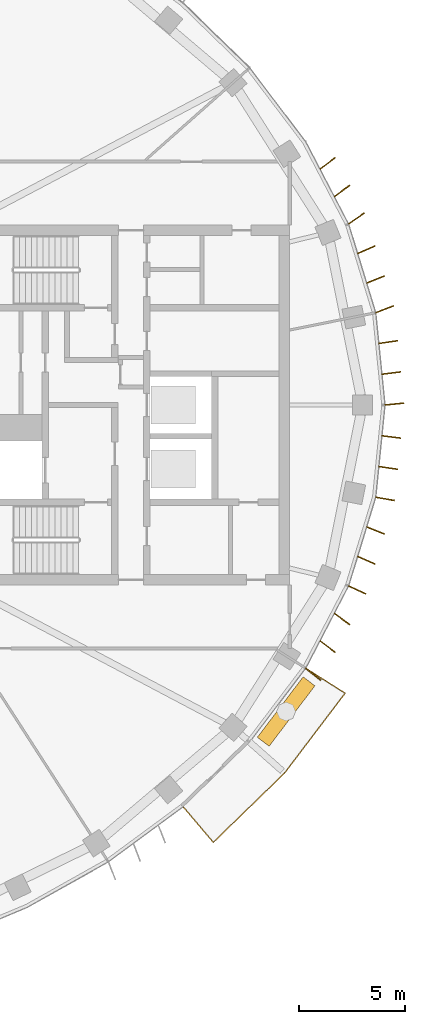
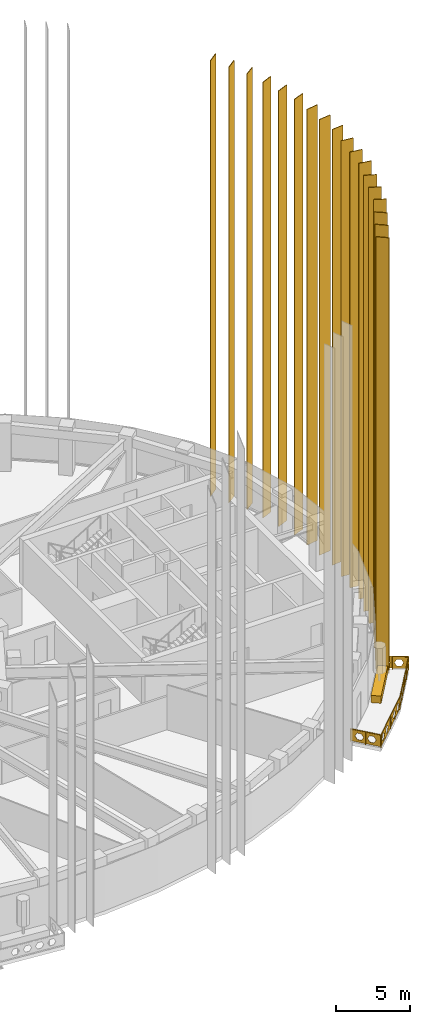
# One storey, part 16 of 17: 19 coverings, 1 railing.
"""IFC4 building model written with IfcOpenShell, lengths in metres."""

from ifc_helpers import new_model, si_unit, direction, frame, origin, origin_2d, place, context, subcontext, project, spatial, polyline, rectangle, outline, extrude, material, material_profile, profile_set, type_object, element, save


model = new_model("IFC4")

# Units and contexts
model_context = context("Model", 3, precision=1e-05, world=origin(), true_north=direction((0.0, 1.0)))
body_context = subcontext(model_context, "Body", "Model", "MODEL_VIEW")
ifc_project = project(units=[si_unit("LENGTHUNIT", "METRE"), si_unit("AREAUNIT", "SQUARE_METRE"), si_unit("VOLUMEUNIT", "CUBIC_METRE"), si_unit("PLANEANGLEUNIT", "RADIAN"), si_unit("MASSUNIT", "GRAM", prefix="KILO")], contexts=[model_context])

# Site, building, storey
site_placement = place(None, origin())
site = spatial("IfcSite", under=ifc_project, at=site_placement, CompositionType="ELEMENT")
building_placement = place(site_placement, origin())
building = spatial("IfcBuilding", under=site, at=building_placement, Name="Noorbagh Ring Tower", CompositionType="ELEMENT")
storey_placement = place(building_placement, frame((0.0, 0.0, 291.0)))
storey = spatial("IfcBuildingStorey", under=building, at=storey_placement, Name="L62", CompositionType="ELEMENT", Elevation=291.0)

# Coverings
ifc_material_1 = material(Name="Aluminium 6063-T6 black anodised", Category="aluminium")
ifc_material_profile = material_profile(ifc_material_1, rectangle(XDim=0.89990234375, YDim=0.050048828125, at=origin_2d()), Name="900x50")
ifc_profile_set = profile_set([ifc_material_profile], Name="Aluminium 6063-T6 black anodised")
covering_type_1 = type_object("IfcCoveringType", Name="ENV-FIN", PredefinedType="CLADDING", material=ifc_profile_set)
for number, where, z_axis, x_axis, name in (
    (1, (36.4482421875, 0.045166015625, -0.284912109375), (0.0, 0.0, 1.0), (0.994969504864, 0.100178263068, 0.0), "Fin F01 1 L62-L70"),
    (2, (36.30126953125, 1.5087890625, -0.284912109375), (0.0, 0.0, 1.0), (0.992302876732, 0.12383457041, 0.0), "Fin F01 2 L62-L70"),
    (3, (36.154296875, 2.97216796875, -0.284912109375), (0.0, 0.0, 1.0), (0.989102941421, 0.147225579543, 0.0), "Fin F01 3 L62-L70"),
    (4, (35.9833984375, 4.520751953125, -0.284912109375), (0.0, 0.0, 1.0), (0.933362145395, 0.358936074453, 0.0), "Fin F02 1 L62-L70"),
    (5, (35.553466796875, 5.92724609375, -0.284912109375), (0.0, 0.0, 1.0), (0.925000661941, 0.379965492392, 0.0), "Fin F02 2 L62-L70"),
    (6, (35.123291015625, 7.3330078125, -0.284912109375), (0.0, 0.0, 1.0), (0.916474909008, 0.40009216583, 0.0), "Fin F02 3 L62-L70"),
    (7, (34.651611328125, 8.810791015625, -0.284912109375), (0.0, 0.0, 1.0), (0.815855460993, 0.57825588347, 0.0), "Fin F03 1 L62-L70"),
    (8, (33.9716796875, 10.113525390625, -0.284912109375), (0.0, 0.0, 1.0), (0.804260303023, 0.59427717858, 0.0), "Fin F03 2 L62-L70"),
    (9, (33.291748046875, 11.415771484375, -0.284912109375), (0.0, 0.0, 1.0), (0.793137535147, 0.609042568579, 0.0), "Fin F03 3 L62-L70"),
    (10, (32.612060546875, -12.71728515625, -0.284912109375), (0.0, 0.0, 1.0), (0.782643528987, -0.622470165176, 0.0), "Fin F44 1 L62-L70"),
    (11, (33.291748046875, -11.415771484375, -0.284912109375), (0.0, 0.0, 1.0), (0.793137535147, -0.609042568579, 0.0), "Fin F44 2 L62-L70"),
    (12, (33.9716796875, -10.113525390625, -0.284912109375), (0.0, 0.0, 1.0), (0.804260303023, -0.59427717858, 0.0), "Fin F44 3 L62-L70"),
    (13, (34.693359375, -8.738525390625, -0.284912109375), (0.0, 0.0, 1.0), (0.907911558545, -0.419161784827, 0.0), "Fin F45 1 L62-L70"),
    (14, (35.123291015625, -7.3330078125, -0.284912109375), (0.0, 0.0, 1.0), (0.916474909008, -0.40009216583, 0.0), "Fin F45 2 L62-L70"),
    (15, (35.553466796875, -5.92724609375, -0.284912109375), (0.0, 0.0, 1.0), (0.925000661941, -0.379965492392, 0.0), "Fin F45 3 L62-L70"),
    (16, (36.0068359375, -4.435546875, -0.284912109375), (0.0, 0.0, 1.0), (0.985418628789, -0.170147365642, 0.0), "Fin F46 1 L62-L70"),
    (17, (36.154296875, -2.97216796875, -0.284912109375), (0.0, 0.0, 1.0), (0.989102941421, -0.147225579543, 0.0), "Fin F46 2 L62-L70"),
    (18, (36.30126953125, -1.5087890625, -0.284912109375), (0.0, 0.0, 1.0), (0.992302876732, -0.12383457041, 0.0), "Fin F46 3 L62-L70"),
):
    element("IfcCovering", number, at=place(storey_placement, frame(where, z_axis=z_axis, x_axis=x_axis)), inside=storey, type_object=covering_type_1, Name=name, ObjectType="FIN", PredefinedType="CLADDING", context=body_context, shape_type="SweptSolid", body=[
        extrude(rectangle(XDim=0.89990234375, YDim=0.050048828125, at=origin_2d()), origin(), (0.0, 0.0, 1.0), 35.969970703125),
    ])

# Railing
ifc_material_2 = material(Name="Steel S275 black powder-coated", Category="steel")
railing_type = type_object("IfcRailingType", Name="ENV-GUARD", PredefinedType="GUARDRAIL", material=ifc_material_2)
railing_placement = place(storey_placement, frame((26.463134765625, -18.983154296875, 0.0)))
element("IfcRailing", 19, at=railing_placement, inside=storey, type_object=railing_type, Name="Balcony guard BS06", PredefinedType="GUARDRAIL", context=body_context, shape_type="SweptSolid", body=[
    extrude(rectangle(XDim=0.048095703125, YDim=0.048095703125, at=origin_2d()), frame((0.0, 0.0, 1.076171875), z_axis=(0.646413574048, -0.762987215677, 0.0), x_axis=(0.762987215677, 0.646413574048, 0.0)), (0.0, 0.0, 1.0), 2.205322265625),
    extrude(rectangle(XDim=0.048095703125, YDim=0.048095703125, at=origin_2d()), frame((1.425537109375, -1.6826171875, 1.076171875), z_axis=(0.717212632946, 0.696854388766, 0.0), x_axis=(-0.696854388766, 0.717212632946, 0.0)), (0.0, 0.0, 1.0), 4.700927734375),
    extrude(rectangle(XDim=0.048095703125, YDim=0.048095703125, at=origin_2d()), frame((4.797119140625, 1.59326171875, 1.076171875), z_axis=(0.604001613322, 0.796983093362, 0.0), x_axis=(-0.796983093362, 0.604001613322, 0.0)), (0.0, 0.0, 1.0), 4.7353515625),
    extrude(rectangle(XDim=0.048095703125, YDim=0.048095703125, at=origin_2d()), frame((7.6572265625, 5.3671875, 1.076171875), z_axis=(-0.844852397829, 0.534999463442, 0.0), x_axis=(-0.534999463442, -0.844852397829, 0.0)), (0.0, 0.0, 1.0), 2.207763671875),
    extrude(rectangle(XDim=0.0419921875, YDim=0.0419921875, at=origin_2d()), origin(), (0.0, 0.0, 1.0), 1.052001953125),
    extrude(rectangle(XDim=0.0419921875, YDim=0.0419921875, at=origin_2d()), frame((0.712890625, -0.84130859375, 0.0)), (0.0, 0.0, 1.0), 1.052001953125),
    extrude(rectangle(XDim=0.0419921875, YDim=0.0419921875, at=origin_2d()), frame((1.425537109375, -1.6826171875, 0.0)), (0.0, 0.0, 1.0), 1.052001953125),
    extrude(rectangle(XDim=0.0419921875, YDim=0.0419921875, at=origin_2d()), frame((2.2685546875, -0.86376953125, 0.0)), (0.0, 0.0, 1.0), 1.052001953125),
    extrude(rectangle(XDim=0.0419921875, YDim=0.0419921875, at=origin_2d()), frame((3.111328125, -0.044677734375, 0.0)), (0.0, 0.0, 1.0), 1.052001953125),
    extrude(rectangle(XDim=0.0419921875, YDim=0.0419921875, at=origin_2d()), frame((3.9541015625, 0.7744140625, 0.0)), (0.0, 0.0, 1.0), 1.052001953125),
    extrude(rectangle(XDim=0.0419921875, YDim=0.0419921875, at=origin_2d()), frame((4.797119140625, 1.59326171875, 0.0)), (0.0, 0.0, 1.0), 1.052001953125),
    extrude(rectangle(XDim=0.0419921875, YDim=0.0419921875, at=origin_2d()), frame((5.51220703125, 2.53662109375, 0.0)), (0.0, 0.0, 1.0), 1.052001953125),
    extrude(rectangle(XDim=0.0419921875, YDim=0.0419921875, at=origin_2d()), frame((6.22705078125, 3.480224609375, 0.0)), (0.0, 0.0, 1.0), 1.052001953125),
    extrude(rectangle(XDim=0.0419921875, YDim=0.0419921875, at=origin_2d()), frame((6.942138671875, 4.423828125, 0.0)), (0.0, 0.0, 1.0), 1.052001953125),
    extrude(rectangle(XDim=0.0419921875, YDim=0.0419921875, at=origin_2d()), frame((7.6572265625, 5.3671875, 0.0)), (0.0, 0.0, 1.0), 1.052001953125),
    extrude(rectangle(XDim=0.0419921875, YDim=0.0419921875, at=origin_2d()), frame((6.724609375, 5.957763671875, 0.0)), (0.0, 0.0, 1.0), 1.052001953125),
    extrude(rectangle(XDim=0.0419921875, YDim=0.0419921875, at=origin_2d()), frame((5.7919921875, 6.54833984375, 0.0)), (0.0, 0.0, 1.0), 1.052001953125),
    extrude(outline(polyline([(0.0, 0.10009765625), (2.205322265625, 0.10009765625), (2.205322265625, 1.031982421875), (0.0, 1.031982421875), (0.0, 0.10009765625)]), holes=[polyline([(0.962646484375, 0.56591796875), (0.8076171875, 0.83447265625), (0.49755859375, 0.83447265625), (0.342529296875, 0.56591796875), (0.49755859375, 0.297607421875), (0.8076171875, 0.297607421875), (0.962646484375, 0.56591796875)]), polyline([(1.862548828125, 0.56591796875), (1.707763671875, 0.83447265625), (1.397705078125, 0.83447265625), (1.24267578125, 0.56591796875), (1.397705078125, 0.297607421875), (1.707763671875, 0.297607421875), (1.862548828125, 0.56591796875)])]), frame((0.007568359375, 0.00634765625, 0.0), z_axis=(-0.762987215677, -0.646413574048, 0.0), x_axis=(0.646413574048, -0.762987215677, 0.0)), (0.0, 0.0, 1.0), 0.02001953125),
    extrude(outline(polyline([(0.0, 0.10009765625), (4.700927734375, 0.10009765625), (4.700927734375, 1.031982421875), (0.0, 1.031982421875), (0.0, 0.10009765625)]), holes=[polyline([(0.860595703125, 0.56591796875), (0.70556640625, 0.83447265625), (0.3955078125, 0.83447265625), (0.240478515625, 0.56591796875), (0.3955078125, 0.297607421875), (0.70556640625, 0.297607421875), (0.860595703125, 0.56591796875)]), polyline([(1.760498046875, 0.56591796875), (1.60546875, 0.83447265625), (1.29541015625, 0.83447265625), (1.140380859375, 0.56591796875), (1.29541015625, 0.297607421875), (1.60546875, 0.297607421875), (1.760498046875, 0.56591796875)]), polyline([(2.660400390625, 0.56591796875), (2.50537109375, 0.83447265625), (2.195556640625, 0.83447265625), (2.04052734375, 0.56591796875), (2.195556640625, 0.297607421875), (2.50537109375, 0.297607421875), (2.660400390625, 0.56591796875)]), polyline([(3.560546875, 0.56591796875), (3.405517578125, 0.83447265625), (3.095458984375, 0.83447265625), (2.9404296875, 0.56591796875), (3.095458984375, 0.297607421875), (3.405517578125, 0.297607421875), (3.560546875, 0.56591796875)]), polyline([(4.46044921875, 0.56591796875), (4.305419921875, 0.83447265625), (3.995361328125, 0.83447265625), (3.840576171875, 0.56591796875), (3.995361328125, 0.297607421875), (4.305419921875, 0.297607421875), (4.46044921875, 0.56591796875)])]), frame((1.41845703125, -1.675537109375, 0.0), z_axis=(0.696854388766, -0.717212632946, 0.0), x_axis=(0.717212632946, 0.696854388766, 0.0)), (0.0, 0.0, 1.0), 0.02001953125),
    extrude(outline(polyline([(0.0, 0.10009765625), (4.7353515625, 0.10009765625), (4.7353515625, 1.031982421875), (0.0, 1.031982421875), (0.0, 0.10009765625)]), holes=[polyline([(0.877685546875, 0.56591796875), (0.72265625, 0.83447265625), (0.41259765625, 0.83447265625), (0.257568359375, 0.56591796875), (0.41259765625, 0.297607421875), (0.72265625, 0.297607421875), (0.877685546875, 0.56591796875)]), polyline([(1.777587890625, 0.56591796875), (1.62255859375, 0.83447265625), (1.312744140625, 0.83447265625), (1.15771484375, 0.56591796875), (1.312744140625, 0.297607421875), (1.62255859375, 0.297607421875), (1.777587890625, 0.56591796875)]), polyline([(2.677734375, 0.56591796875), (2.522705078125, 0.83447265625), (2.212646484375, 0.83447265625), (2.0576171875, 0.56591796875), (2.212646484375, 0.297607421875), (2.522705078125, 0.297607421875), (2.677734375, 0.56591796875)]), polyline([(3.57763671875, 0.56591796875), (3.422607421875, 0.83447265625), (3.112548828125, 0.83447265625), (2.95751953125, 0.56591796875), (3.112548828125, 0.297607421875), (3.422607421875, 0.297607421875), (3.57763671875, 0.56591796875)]), polyline([(4.4775390625, 0.56591796875), (4.32275390625, 0.83447265625), (4.0126953125, 0.83447265625), (3.857666015625, 0.56591796875), (4.0126953125, 0.297607421875), (4.32275390625, 0.297607421875), (4.4775390625, 0.56591796875)])]), frame((4.7890625, 1.599365234375, 0.0), z_axis=(0.796983093362, -0.604001613322, 0.0), x_axis=(0.604001613322, 0.796983093362, 0.0)), (0.0, 0.0, 1.0), 0.02001953125),
    extrude(outline(polyline([(0.0, 0.10009765625), (2.207763671875, 0.10009765625), (2.207763671875, 1.031982421875), (0.0, 1.031982421875), (0.0, 0.10009765625)]), holes=[polyline([(0.9638671875, 0.56591796875), (0.808837890625, 0.83447265625), (0.498779296875, 0.83447265625), (0.343994140625, 0.56591796875), (0.498779296875, 0.297607421875), (0.808837890625, 0.297607421875), (0.9638671875, 0.56591796875)]), polyline([(1.86376953125, 0.56591796875), (1.708984375, 0.83447265625), (1.39892578125, 0.83447265625), (1.243896484375, 0.56591796875), (1.39892578125, 0.297607421875), (1.708984375, 0.297607421875), (1.86376953125, 0.56591796875)])]), frame((7.65185546875, 5.358642578125, 0.0), z_axis=(0.534999463442, 0.844852397829, 0.0), x_axis=(-0.844852397829, 0.534999463442, 0.0)), (0.0, 0.0, 1.0), 0.02001953125),
])

# Covering
ifc_material_3 = material(Name="Concrete C30/37 planter with soil", Category="concrete")
covering_type_2 = type_object("IfcCoveringType", Name="ENV-PLANTER", PredefinedType="CLADDING", material=ifc_material_3)
covering_placement = place(storey_placement, frame((31.329833984375, -14.4833984375, 0.0), z_axis=(0.0, 0.0, 1.0), x_axis=(0.604020184358, 0.796969018776, 0.0)))
element("IfcCovering", 20, at=covering_placement, inside=storey, type_object=covering_type_2, Name="PLANTER BS06", ObjectType="PLANTER", PredefinedType="CLADDING", context=body_context, shape_type="SweptSolid", body=[
    extrude(rectangle(XDim=3.583251953125, YDim=0.699951171875, at=origin_2d()), origin(), (0.0, 0.0, 1.0), 0.60009765625),
])

save(model, "model.ifc")
